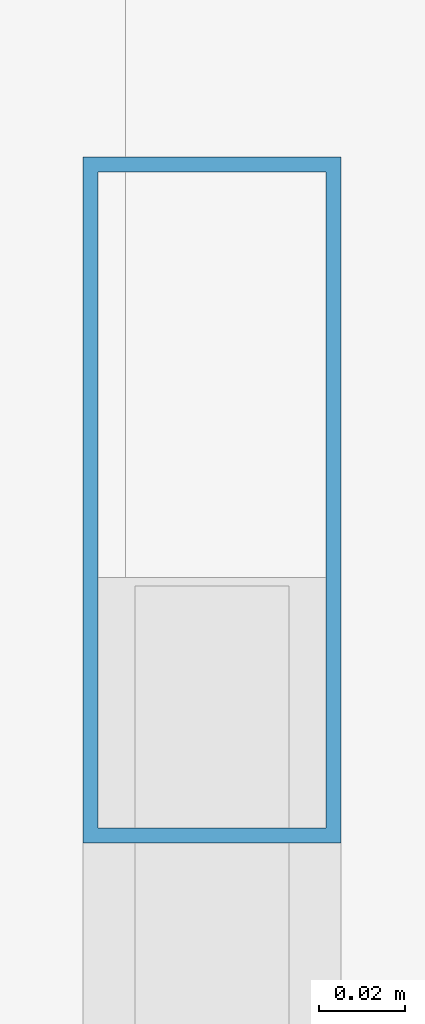
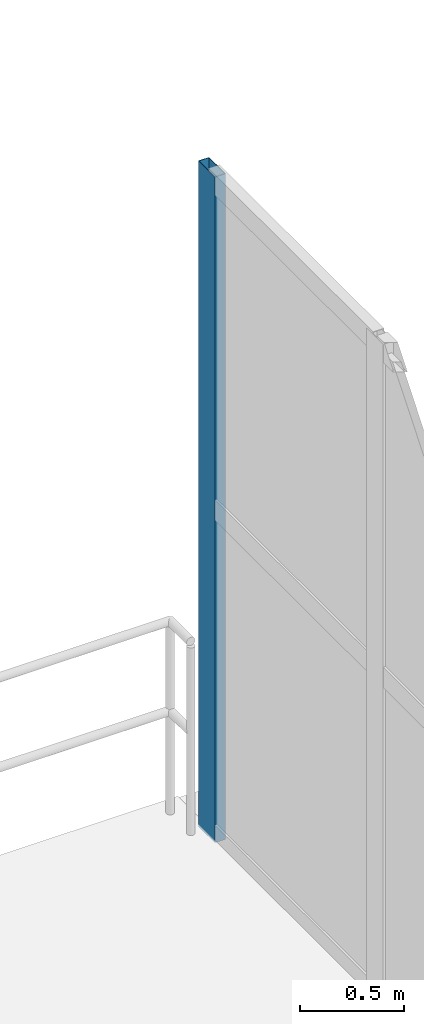
# One storey, part 83 of 130: 1 member, 1 element without a shape of its own.
"""IFC4 building model written with IfcOpenShell, lengths in metres."""

from ifc_helpers import new_model, si_unit, direction, frame, origin, origin_2d, place, context, subcontext, project, spatial, hollow_rectangle, extrude, material, material_profile, profile_set, type_object, element, aggregate, save


model = new_model("IFC4")

# Units and contexts
model_context = context("Model", 3, precision=1e-05, world=origin(), true_north=direction((0.0, 1.0)))
body_context = subcontext(model_context, "Body", "Model", "MODEL_VIEW")
ifc_project = project(units=[si_unit("LENGTHUNIT", "METRE"), si_unit("AREAUNIT", "SQUARE_METRE"), si_unit("VOLUMEUNIT", "CUBIC_METRE"), si_unit("PLANEANGLEUNIT", "RADIAN"), si_unit("MASSUNIT", "GRAM", prefix="KILO")], contexts=[model_context])

# Site, building, storey
site_placement = place(None, origin())
site = spatial("IfcSite", under=ifc_project, at=site_placement, CompositionType="ELEMENT")
building_placement = place(site_placement, origin())
building = spatial("IfcBuilding", under=site, at=building_placement, Name="Qandorah Velis Arena", CompositionType="ELEMENT")
storey_placement = place(building_placement, frame((0.0, 0.0, 9.60009765625)))
storey = spatial("IfcBuildingStorey", under=building, at=storey_placement, Name="L02", CompositionType="ELEMENT", Elevation=9.60009765625)

# Curtain wall, member
ifc_material_1 = material(Name="Solar-control low-E double glazing", Category="glass")
curtain_wall_type = type_object("IfcCurtainWallType", Name="ARC-CW-SYS07", PredefinedType="USERDEFINED", material=ifc_material_1)
curtain_wall_placement = place(storey_placement, origin())
curtain_wall = element("IfcCurtainWall", 1, at=curtain_wall_placement, inside=storey, type_object=curtain_wall_type, Name="Unitised curtain wall L02-151", ObjectType="UNITISED CURTAIN WALL", PredefinedType="USERDEFINED")
ifc_material_2 = material(Name="Champagne-bronze anodized aluminium 6063-T6", Category="aluminium")
ifc_material_profile = material_profile(ifc_material_2, hollow_rectangle(XDim=0.06005859375, YDim=0.159912109375, WallThickness=0.00341796875, at=origin_2d()), Name="ALU MULLION 60x160")
ifc_profile_set = profile_set([ifc_material_profile], Name="Champagne-bronze anodized aluminium 6063-T6")
member_type = type_object("IfcMemberType", Name="ARC-CWM-160", PredefinedType="MULLION", material=ifc_profile_set)
member_placement = place(storey_placement, frame((172.800048828125, 93.27001953125, -0.01513671875), z_axis=(0.0, 0.0, 1.0), x_axis=(-1.0, 0.0, 0.0)))
member = element("IfcMember", 2, at=member_placement, type_object=member_type, Name="CW07 mullion 5", PredefinedType="MULLION", context=body_context, shape_type="SweptSolid", body=[
    extrude(hollow_rectangle(XDim=0.06005859375, YDim=0.159912109375, WallThickness=0.00341796875, at=origin_2d()), origin(), (0.0, 0.0, 1.0), 3.91015625),
])
aggregate(curtain_wall, [member])

save(model, "model.ifc")
